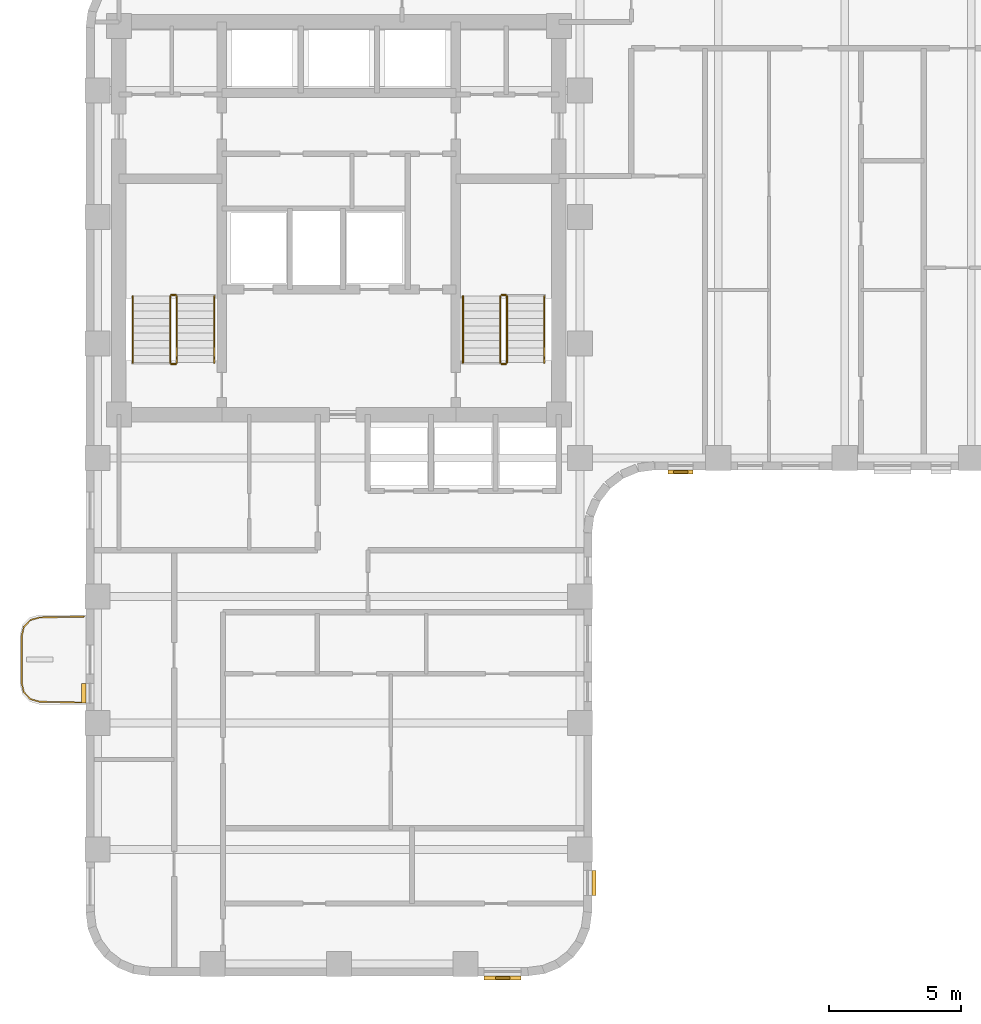
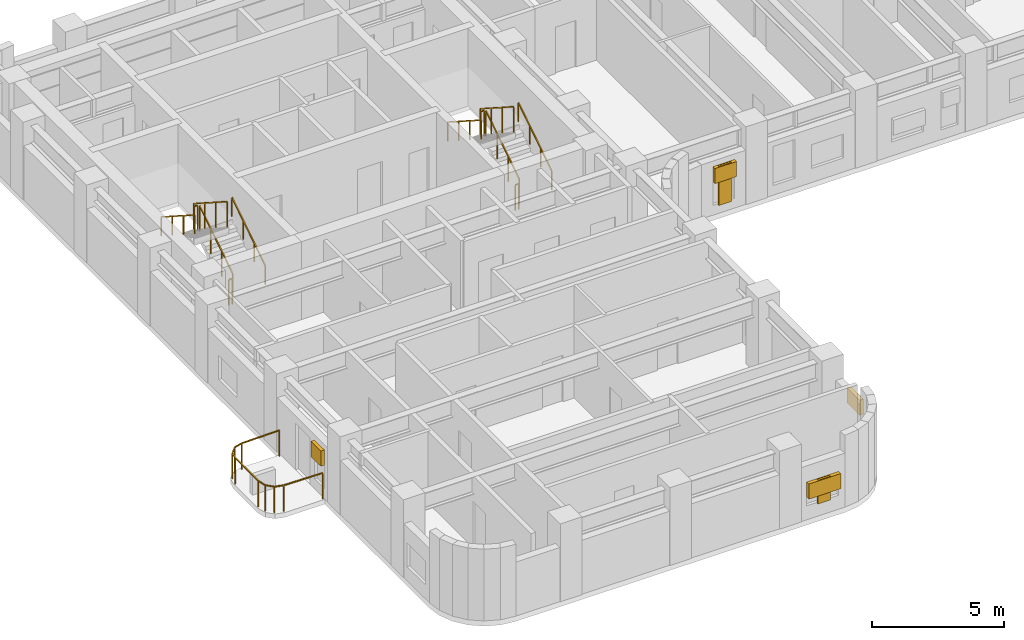
# One storey, part 8 of 10: 13 railings, 6 shading devices.
"""IFC4 building model written with IfcOpenShell, lengths in metres."""

from ifc_helpers import new_model, si_unit, direction, frame, origin, origin_2d, place, context, subcontext, project, spatial, rectangle, extrude, material, type_object, element, save


model = new_model("IFC4")

# Units and contexts
model_context = context("Model", 3, precision=1e-05, world=origin(), true_north=direction((0.0, 1.0)))
body_context = subcontext(model_context, "Body", "Model", "MODEL_VIEW")
ifc_project = project(units=[si_unit("LENGTHUNIT", "METRE"), si_unit("AREAUNIT", "SQUARE_METRE"), si_unit("VOLUMEUNIT", "CUBIC_METRE"), si_unit("PLANEANGLEUNIT", "RADIAN"), si_unit("MASSUNIT", "GRAM", prefix="KILO")], contexts=[model_context])

# Site, building, storey
site_placement = place(None, origin())
site = spatial("IfcSite", under=ifc_project, at=site_placement, CompositionType="ELEMENT")
building_placement = place(site_placement, origin())
building = spatial("IfcBuilding", under=site, at=building_placement, Name="Orvandelia Arch Residences", CompositionType="ELEMENT")
storey_placement = place(building_placement, frame((0.0, 0.0, 150.39990234375)))
storey = spatial("IfcBuildingStorey", under=building, at=storey_placement, Name="L39", CompositionType="ELEMENT", Elevation=150.39990234375)

# Railings
ifc_material_1 = material(Name="Marine-Grade Stainless Steel 316", Category="steel")
railing_type_1 = type_object("IfcRailingType", Name="GRD-BAL-1200", PredefinedType="BALUSTRADE", material=ifc_material_1)
railing_1_placement = place(storey_placement, frame((4.728271484375, 23.23046875, 0.0)))
element("IfcRailing", 1, at=railing_1_placement, inside=storey, type_object=railing_type_1, Name="Safety Balustrade Guard GRD-L39-BAL-L39-W1-1", PredefinedType="BALUSTRADE", context=body_context, shape_type="SweptSolid", body=[
    extrude(rectangle(XDim=0.048095703125, YDim=0.048095703125, at=origin_2d()), frame((0.0, 0.0, 1.19580078125), z_axis=(-0.999834751713, -0.018178813668, 0.0), x_axis=(0.018178813668, -0.999834751713, 0.0)), (0.0, 0.0, 1.0), 1.6787109375),
    extrude(rectangle(XDim=0.048095703125, YDim=0.048095703125, at=origin_2d()), frame((-1.678466796875, -0.030517578125, 1.19580078125), z_axis=(-0.96348920644, -0.267747173792, 0.0), x_axis=(0.267747173792, -0.96348920644, 0.0)), (0.0, 0.0, 1.0), 0.36572265625),
    extrude(rectangle(XDim=0.048095703125, YDim=0.048095703125, at=origin_2d()), frame((-2.03076171875, -0.12841796875, 1.19580078125), z_axis=(-0.688627404251, -0.725115368831, 0.0), x_axis=(0.725115368831, -0.688627404251, 0.0)), (0.0, 0.0, 1.0), 0.367919921875),
    extrude(rectangle(XDim=0.048095703125, YDim=0.048095703125, at=origin_2d()), frame((-2.2841796875, -0.395263671875, 1.19580078125), z_axis=(-0.220461657419, -0.975395641577, 0.0), x_axis=(0.975395641577, -0.220461657419, 0.0)), (0.0, 0.0, 1.0), 0.373291015625),
    extrude(rectangle(XDim=0.048095703125, YDim=0.048095703125, at=origin_2d()), frame((-2.366455078125, -0.75927734375, 1.19580078125), z_axis=(0.0, -1.0, 0.0), x_axis=(1.0, 0.0, 0.0)), (0.0, 0.0, 1.0), 1.742431640625),
    extrude(rectangle(XDim=0.048095703125, YDim=0.048095703125, at=origin_2d()), frame((-2.366455078125, -2.501708984375, 1.19580078125), z_axis=(0.220602419982, -0.975363815352, 0.0), x_axis=(0.975363815352, 0.220602419982, 0.0)), (0.0, 0.0, 1.0), 0.373046875),
    extrude(rectangle(XDim=0.048095703125, YDim=0.048095703125, at=origin_2d()), frame((-2.2841796875, -2.865478515625, 1.19580078125), z_axis=(0.688296224633, -0.725429739642, 0.0), x_axis=(0.725429739642, 0.688296224633, 0.0)), (0.0, 0.0, 1.0), 0.3681640625),
    extrude(rectangle(XDim=0.048095703125, YDim=0.048095703125, at=origin_2d()), frame((-2.03076171875, -3.132568359375, 1.19580078125), z_axis=(0.96348920644, -0.267747173792, 0.0), x_axis=(0.267747173792, 0.96348920644, 0.0)), (0.0, 0.0, 1.0), 0.36572265625),
    extrude(rectangle(XDim=0.048095703125, YDim=0.048095703125, at=origin_2d()), frame((-1.678466796875, -3.23046875, 1.19580078125), z_axis=(0.999834751713, -0.018178813668, 0.0), x_axis=(0.018178813668, 0.999834751713, 0.0)), (0.0, 0.0, 1.0), 1.6787109375),
    extrude(rectangle(XDim=0.0419921875, YDim=0.0419921875, at=origin_2d()), origin(), (0.0, 0.0, 1.0), 1.171875),
    extrude(rectangle(XDim=0.0419921875, YDim=0.0419921875, at=origin_2d()), frame((-1.678466796875, -0.030517578125, 0.0)), (0.0, 0.0, 1.0), 1.171875),
    extrude(rectangle(XDim=0.0419921875, YDim=0.0419921875, at=origin_2d()), frame((-2.03076171875, -0.12841796875, 0.0)), (0.0, 0.0, 1.0), 1.171875),
    extrude(rectangle(XDim=0.0419921875, YDim=0.0419921875, at=origin_2d()), frame((-2.2841796875, -0.395263671875, 0.0)), (0.0, 0.0, 1.0), 1.171875),
    extrude(rectangle(XDim=0.0419921875, YDim=0.0419921875, at=origin_2d()), frame((-2.366455078125, -0.75927734375, 0.0)), (0.0, 0.0, 1.0), 1.171875),
    extrude(rectangle(XDim=0.0419921875, YDim=0.0419921875, at=origin_2d()), frame((-2.366455078125, -2.501708984375, 0.0)), (0.0, 0.0, 1.0), 1.171875),
    extrude(rectangle(XDim=0.0419921875, YDim=0.0419921875, at=origin_2d()), frame((-2.2841796875, -2.865478515625, 0.0)), (0.0, 0.0, 1.0), 1.171875),
    extrude(rectangle(XDim=0.0419921875, YDim=0.0419921875, at=origin_2d()), frame((-2.03076171875, -3.132568359375, 0.0)), (0.0, 0.0, 1.0), 1.171875),
    extrude(rectangle(XDim=0.0419921875, YDim=0.0419921875, at=origin_2d()), frame((-1.678466796875, -3.23046875, 0.0)), (0.0, 0.0, 1.0), 1.171875),
    extrude(rectangle(XDim=0.0419921875, YDim=0.0419921875, at=origin_2d()), frame((0.0, -3.260986328125, 0.0)), (0.0, 0.0, 1.0), 1.171875),
])
ifc_material_2 = material(Name="Brushed Stainless Steel 304", Category="steel")
railing_type_2 = type_object("IfcRailingType", Name="RL-STAIR-GD1120", PredefinedType="GUARDRAIL", material=ifc_material_2)
railing_2_placement = place(storey_placement, frame((8.25, 32.8701171875, 0.18017578125)))
element("IfcRailing", 2, at=railing_2_placement, inside=storey, type_object=railing_type_2, Name="L39 ST-1 stair guard 1", PredefinedType="GUARDRAIL", context=body_context, shape_type="SweptSolid", body=[
    extrude(rectangle(XDim=0.048095703125, YDim=0.048095703125, at=origin_2d()), frame((0.0, 0.0, 1.17578125), z_axis=(0.0, 0.841175827307, 0.540761710511), x_axis=(-1.0, 0.0, 0.0)), (0.0, 0.0, 1.0), 2.99560546875),
    extrude(rectangle(XDim=0.0419921875, YDim=0.0419921875, at=origin_2d()), origin(), (0.0, 0.0, 1.0), 1.15185546875),
    extrude(rectangle(XDim=0.0419921875, YDim=0.0419921875, at=origin_2d()), frame((0.0, 0.83984375, 0.5400390625)), (0.0, 0.0, 1.0), 1.15185546875),
    extrude(rectangle(XDim=0.0419921875, YDim=0.0419921875, at=origin_2d()), frame((0.0, 1.679931640625, 1.079833984375)), (0.0, 0.0, 1.0), 1.15185546875),
    extrude(rectangle(XDim=0.0419921875, YDim=0.0419921875, at=origin_2d()), frame((0.0, 2.519775390625, 1.619873046875)), (0.0, 0.0, 1.0), 1.15185546875),
])
railing_3_placement = place(storey_placement, frame((8.199951171875, 35.43994140625, 1.800048828125)))
element("IfcRailing", 3, at=railing_3_placement, inside=storey, type_object=railing_type_2, Name="L39 ST-1 stair guard 2", PredefinedType="GUARDRAIL", context=body_context, shape_type="SweptSolid", body=[
    extrude(rectangle(XDim=0.048095703125, YDim=0.048095703125, at=origin_2d()), frame((0.0, 0.0, 1.17578125), z_axis=(-1.0, 0.0, 0.0), x_axis=(0.0, -1.0, 0.0)), (0.0, 0.0, 1.0), 0.14990234375),
    extrude(rectangle(XDim=0.0419921875, YDim=0.0419921875, at=origin_2d()), origin(), (0.0, 0.0, 1.0), 1.15185546875),
    extrude(rectangle(XDim=0.0419921875, YDim=0.0419921875, at=origin_2d()), frame((-0.14990234375, 0.0, 0.0)), (0.0, 0.0, 1.0), 1.15185546875),
])
railing_4_placement = place(storey_placement, frame((8.0, 35.389892578125, 1.97998046875)))
element("IfcRailing", 4, at=railing_4_placement, inside=storey, type_object=railing_type_2, Name="L39 ST-1 stair guard 3", PredefinedType="GUARDRAIL", context=body_context, shape_type="SweptSolid", body=[
    extrude(rectangle(XDim=0.048095703125, YDim=0.048095703125, at=origin_2d()), frame((0.0, 0.0, 1.17578125), z_axis=(0.0, -0.841138753965, 0.540819375188), x_axis=(1.0, 0.0, 0.0)), (0.0, 0.0, 1.0), 2.99560546875),
    extrude(rectangle(XDim=0.0419921875, YDim=0.0419921875, at=origin_2d()), origin(), (0.0, 0.0, 1.0), 1.15185546875),
    extrude(rectangle(XDim=0.0419921875, YDim=0.0419921875, at=origin_2d()), frame((0.0, -0.83984375, 0.5400390625)), (0.0, 0.0, 1.0), 1.15185546875),
    extrude(rectangle(XDim=0.0419921875, YDim=0.0419921875, at=origin_2d()), frame((0.0, -1.679931640625, 1.080078125)), (0.0, 0.0, 1.0), 1.15185546875),
    extrude(rectangle(XDim=0.0419921875, YDim=0.0419921875, at=origin_2d()), frame((0.0, -2.519775390625, 1.6201171875)), (0.0, 0.0, 1.0), 1.15185546875),
])
railing_5_placement = place(storey_placement, frame((8.199951171875, 32.820068359375, 0.0)))
element("IfcRailing", 5, at=railing_5_placement, inside=storey, type_object=railing_type_2, Name="L39 ST-1 stair guard 4", PredefinedType="GUARDRAIL", context=body_context, shape_type="SweptSolid", body=[
    extrude(rectangle(XDim=0.048095703125, YDim=0.048095703125, at=origin_2d()), frame((0.0, 0.0, 1.17578125), z_axis=(-1.0, 0.0, 0.0), x_axis=(0.0, -1.0, 0.0)), (0.0, 0.0, 1.0), 0.14990234375),
    extrude(rectangle(XDim=0.0419921875, YDim=0.0419921875, at=origin_2d()), origin(), (0.0, 0.0, 1.0), 1.15185546875),
    extrude(rectangle(XDim=0.0419921875, YDim=0.0419921875, at=origin_2d()), frame((-0.14990234375, 0.0, 0.0)), (0.0, 0.0, 1.0), 1.15185546875),
])
railing_6_placement = place(storey_placement, frame((20.780029296875, 32.8701171875, 0.18017578125)))
element("IfcRailing", 6, at=railing_6_placement, inside=storey, type_object=railing_type_2, Name="L39 ST-2 stair guard 1", PredefinedType="GUARDRAIL", context=body_context, shape_type="SweptSolid", body=[
    extrude(rectangle(XDim=0.048095703125, YDim=0.048095703125, at=origin_2d()), frame((0.0, 0.0, 1.17578125), z_axis=(0.0, 0.841175827307, 0.540761710511), x_axis=(-1.0, 0.0, 0.0)), (0.0, 0.0, 1.0), 2.99560546875),
    extrude(rectangle(XDim=0.0419921875, YDim=0.0419921875, at=origin_2d()), origin(), (0.0, 0.0, 1.0), 1.15185546875),
    extrude(rectangle(XDim=0.0419921875, YDim=0.0419921875, at=origin_2d()), frame((0.0, 0.83984375, 0.5400390625)), (0.0, 0.0, 1.0), 1.15185546875),
    extrude(rectangle(XDim=0.0419921875, YDim=0.0419921875, at=origin_2d()), frame((0.0, 1.679931640625, 1.079833984375)), (0.0, 0.0, 1.0), 1.15185546875),
    extrude(rectangle(XDim=0.0419921875, YDim=0.0419921875, at=origin_2d()), frame((0.0, 2.519775390625, 1.619873046875)), (0.0, 0.0, 1.0), 1.15185546875),
])
railing_7_placement = place(storey_placement, frame((20.72998046875, 35.43994140625, 1.800048828125)))
element("IfcRailing", 7, at=railing_7_placement, inside=storey, type_object=railing_type_2, Name="L39 ST-2 stair guard 2", PredefinedType="GUARDRAIL", context=body_context, shape_type="SweptSolid", body=[
    extrude(rectangle(XDim=0.048095703125, YDim=0.048095703125, at=origin_2d()), frame((0.0, 0.0, 1.17578125), z_axis=(-1.0, 0.0, 0.0), x_axis=(0.0, -1.0, 0.0)), (0.0, 0.0, 1.0), 0.14990234375),
    extrude(rectangle(XDim=0.0419921875, YDim=0.0419921875, at=origin_2d()), origin(), (0.0, 0.0, 1.0), 1.15185546875),
    extrude(rectangle(XDim=0.0419921875, YDim=0.0419921875, at=origin_2d()), frame((-0.14990234375, 0.0, 0.0)), (0.0, 0.0, 1.0), 1.15185546875),
])
railing_8_placement = place(storey_placement, frame((20.530029296875, 35.389892578125, 1.97998046875)))
element("IfcRailing", 8, at=railing_8_placement, inside=storey, type_object=railing_type_2, Name="L39 ST-2 stair guard 3", PredefinedType="GUARDRAIL", context=body_context, shape_type="SweptSolid", body=[
    extrude(rectangle(XDim=0.048095703125, YDim=0.048095703125, at=origin_2d()), frame((0.0, 0.0, 1.17578125), z_axis=(0.0, -0.841138753965, 0.540819375188), x_axis=(1.0, 0.0, 0.0)), (0.0, 0.0, 1.0), 2.99560546875),
    extrude(rectangle(XDim=0.0419921875, YDim=0.0419921875, at=origin_2d()), origin(), (0.0, 0.0, 1.0), 1.15185546875),
    extrude(rectangle(XDim=0.0419921875, YDim=0.0419921875, at=origin_2d()), frame((0.0, -0.83984375, 0.5400390625)), (0.0, 0.0, 1.0), 1.15185546875),
    extrude(rectangle(XDim=0.0419921875, YDim=0.0419921875, at=origin_2d()), frame((0.0, -1.679931640625, 1.080078125)), (0.0, 0.0, 1.0), 1.15185546875),
    extrude(rectangle(XDim=0.0419921875, YDim=0.0419921875, at=origin_2d()), frame((0.0, -2.519775390625, 1.6201171875)), (0.0, 0.0, 1.0), 1.15185546875),
])
railing_9_placement = place(storey_placement, frame((20.72998046875, 32.820068359375, 0.0)))
element("IfcRailing", 9, at=railing_9_placement, inside=storey, type_object=railing_type_2, Name="L39 ST-2 stair guard 4", PredefinedType="GUARDRAIL", context=body_context, shape_type="SweptSolid", body=[
    extrude(rectangle(XDim=0.048095703125, YDim=0.048095703125, at=origin_2d()), frame((0.0, 0.0, 1.17578125), z_axis=(-1.0, 0.0, 0.0), x_axis=(0.0, -1.0, 0.0)), (0.0, 0.0, 1.0), 0.14990234375),
    extrude(rectangle(XDim=0.0419921875, YDim=0.0419921875, at=origin_2d()), origin(), (0.0, 0.0, 1.0), 1.15185546875),
    extrude(rectangle(XDim=0.0419921875, YDim=0.0419921875, at=origin_2d()), frame((-0.14990234375, 0.0, 0.0)), (0.0, 0.0, 1.0), 1.15185546875),
])
railing_type_3 = type_object("IfcRailingType", Name="RL-STAIR-HR920", PredefinedType="HANDRAIL", material=ifc_material_2)
railing_10_placement = place(storey_placement, frame((9.669921875, 32.8701171875, 0.360107421875)))
element("IfcRailing", 10, at=railing_10_placement, inside=storey, type_object=railing_type_3, Name="L39 ST-1 stair handrail 1", PredefinedType="HANDRAIL", context=body_context, shape_type="SweptSolid", body=[
    extrude(rectangle(XDim=0.048095703125, YDim=0.048095703125, at=origin_2d()), frame((0.0, 0.0, 0.8759765625), z_axis=(0.0, 0.841175827307, 0.540761710511), x_axis=(-1.0, 0.0, 0.0)), (0.0, 0.0, 1.0), 2.99560546875),
    extrude(rectangle(XDim=0.0419921875, YDim=0.0419921875, at=origin_2d()), origin(), (0.0, 0.0, 1.0), 0.851806640625),
    extrude(rectangle(XDim=0.0419921875, YDim=0.0419921875, at=origin_2d()), frame((0.0, 0.83984375, 0.5400390625)), (0.0, 0.0, 1.0), 0.851806640625),
    extrude(rectangle(XDim=0.0419921875, YDim=0.0419921875, at=origin_2d()), frame((0.0, 1.679931640625, 1.079833984375)), (0.0, 0.0, 1.0), 0.851806640625),
    extrude(rectangle(XDim=0.0419921875, YDim=0.0419921875, at=origin_2d()), frame((0.0, 2.519775390625, 1.619873046875)), (0.0, 0.0, 1.0), 0.851806640625),
])
railing_11_placement = place(storey_placement, frame((6.580078125, 35.389892578125, 2.16015625)))
element("IfcRailing", 11, at=railing_11_placement, inside=storey, type_object=railing_type_3, Name="L39 ST-1 stair handrail 2", PredefinedType="HANDRAIL", context=body_context, shape_type="SweptSolid", body=[
    extrude(rectangle(XDim=0.048095703125, YDim=0.048095703125, at=origin_2d()), frame((0.0, 0.0, 0.8759765625), z_axis=(0.0, -0.841175827307, 0.540761710511), x_axis=(1.0, 0.0, 0.0)), (0.0, 0.0, 1.0), 2.99560546875),
    extrude(rectangle(XDim=0.0419921875, YDim=0.0419921875, at=origin_2d()), origin(), (0.0, 0.0, 1.0), 0.851806640625),
    extrude(rectangle(XDim=0.0419921875, YDim=0.0419921875, at=origin_2d()), frame((0.0, -0.83984375, 0.5400390625)), (0.0, 0.0, 1.0), 0.851806640625),
    extrude(rectangle(XDim=0.0419921875, YDim=0.0419921875, at=origin_2d()), frame((0.0, -1.679931640625, 1.079833984375)), (0.0, 0.0, 1.0), 0.851806640625),
    extrude(rectangle(XDim=0.0419921875, YDim=0.0419921875, at=origin_2d()), frame((0.0, -2.519775390625, 1.619873046875)), (0.0, 0.0, 1.0), 0.851806640625),
])
railing_12_placement = place(storey_placement, frame((22.199951171875, 32.8701171875, 0.360107421875)))
element("IfcRailing", 12, at=railing_12_placement, inside=storey, type_object=railing_type_3, Name="L39 ST-2 stair handrail 1", PredefinedType="HANDRAIL", context=body_context, shape_type="SweptSolid", body=[
    extrude(rectangle(XDim=0.048095703125, YDim=0.048095703125, at=origin_2d()), frame((0.0, 0.0, 0.8759765625), z_axis=(0.0, 0.841175827307, 0.540761710511), x_axis=(-1.0, 0.0, 0.0)), (0.0, 0.0, 1.0), 2.99560546875),
    extrude(rectangle(XDim=0.0419921875, YDim=0.0419921875, at=origin_2d()), origin(), (0.0, 0.0, 1.0), 0.851806640625),
    extrude(rectangle(XDim=0.0419921875, YDim=0.0419921875, at=origin_2d()), frame((0.0, 0.83984375, 0.5400390625)), (0.0, 0.0, 1.0), 0.851806640625),
    extrude(rectangle(XDim=0.0419921875, YDim=0.0419921875, at=origin_2d()), frame((0.0, 1.679931640625, 1.079833984375)), (0.0, 0.0, 1.0), 0.851806640625),
    extrude(rectangle(XDim=0.0419921875, YDim=0.0419921875, at=origin_2d()), frame((0.0, 2.519775390625, 1.619873046875)), (0.0, 0.0, 1.0), 0.851806640625),
])
railing_13_placement = place(storey_placement, frame((19.110107421875, 35.389892578125, 2.16015625)))
element("IfcRailing", 13, at=railing_13_placement, inside=storey, type_object=railing_type_3, Name="L39 ST-2 stair handrail 2", PredefinedType="HANDRAIL", context=body_context, shape_type="SweptSolid", body=[
    extrude(rectangle(XDim=0.048095703125, YDim=0.048095703125, at=origin_2d()), frame((0.0, 0.0, 0.8759765625), z_axis=(0.0, -0.841175827307, 0.540761710511), x_axis=(1.0, 0.0, 0.0)), (0.0, 0.0, 1.0), 2.99560546875),
    extrude(rectangle(XDim=0.0419921875, YDim=0.0419921875, at=origin_2d()), origin(), (0.0, 0.0, 1.0), 0.851806640625),
    extrude(rectangle(XDim=0.0419921875, YDim=0.0419921875, at=origin_2d()), frame((0.0, -0.83984375, 0.5400390625)), (0.0, 0.0, 1.0), 0.851806640625),
    extrude(rectangle(XDim=0.0419921875, YDim=0.0419921875, at=origin_2d()), frame((0.0, -1.679931640625, 1.079833984375)), (0.0, 0.0, 1.0), 0.851806640625),
    extrude(rectangle(XDim=0.0419921875, YDim=0.0419921875, at=origin_2d()), frame((0.0, -2.519775390625, 1.619873046875)), (0.0, 0.0, 1.0), 0.851806640625),
])

# Shading devices
ifc_material_3 = material(Name="Anodised Champagne-Bronze Extruded Aluminium", Category="aluminium")
shading_device_type_1 = type_object("IfcShadingDeviceType", Name="SHD-JALOUSIE-SCREEN", PredefinedType="JALOUSIE", material=ifc_material_3)
for number, where, z_axis, x_axis, name in (
    (14, (27.3701171875, 28.719970703125, 1.55029296875), (0.0, 0.0, 1.0), (-1.0, 0.0, 0.0), "Bronze Jalousie Sun-Shade L39-003"),
    (15, (24.080078125, 13.12353515625, 1.55029296875), (0.0, 0.0, 1.0), (0.0, -1.0, 0.0), "Bronze Jalousie Sun-Shade L39-005"),
):
    element("IfcShadingDevice", number, at=place(storey_placement, frame(where, z_axis=z_axis, x_axis=x_axis)), inside=storey, type_object=shading_device_type_1, Name=name, PredefinedType="JALOUSIE", context=body_context, shape_type="SweptSolid", body=[
        extrude(rectangle(XDim=0.949951171875, YDim=0.159912109375, at=origin_2d()), origin(), (0.0, 0.0, 1.0), 0.699951171875),
    ])
shading_device_1_placement = place(storey_placement, frame((20.617431640625, 9.52001953125, 1.05029296875), z_axis=(0.0, 0.0, 1.0), x_axis=(-1.0, 0.0, 0.0)))
element("IfcShadingDevice", 16, at=shading_device_1_placement, inside=storey, type_object=shading_device_type_1, Name="Bronze Jalousie Sun-Shade L39-006", PredefinedType="JALOUSIE", context=body_context, shape_type="SweptSolid", body=[
    extrude(rectangle(XDim=1.39990234375, YDim=0.159912109375, at=origin_2d()), origin(), (0.0, 0.0, 1.0), 0.699951171875),
])
shading_device_2_placement = place(storey_placement, frame((4.719970703125, 20.322509765625, 1.55029296875), z_axis=(0.0, 0.0, 1.0), x_axis=(0.0, 1.0, 0.0)))
element("IfcShadingDevice", 17, at=shading_device_2_placement, inside=storey, type_object=shading_device_type_1, Name="Bronze Jalousie Sun-Shade L39-007", PredefinedType="JALOUSIE", context=body_context, shape_type="SweptSolid", body=[
    extrude(rectangle(XDim=0.75, YDim=0.159912109375, at=origin_2d()), origin(), (0.0, 0.0, 1.0), 0.699951171875),
])
ifc_material_4 = material(Name="Marine-Grade Perforated Aluminium Storm Shutter", Category="aluminium")
shading_device_type_2 = type_object("IfcShadingDeviceType", Name="SHD-STORM-SHUTTER", PredefinedType="SHUTTER", material=ifc_material_4)
shading_device_3_placement = place(storey_placement, frame((27.3701171875, 28.719970703125, 0.4501953125), z_axis=(0.0, 0.0, 1.0), x_axis=(-1.0, 0.0, 0.0)))
element("IfcShadingDevice", 18, at=shading_device_3_placement, inside=storey, type_object=shading_device_type_2, Name="Operable Typhoon Storm Shutter L39-003", PredefinedType="SHUTTER", context=body_context, shape_type="SweptSolid", body=[
    extrude(rectangle(XDim=0.550048828125, YDim=0.080078125, at=origin_2d()), origin(), (0.0, 0.0, 1.0), 1.800048828125),
])
shading_device_4_placement = place(storey_placement, frame((20.617431640625, 9.52001953125, 0.650146484375), z_axis=(0.0, 0.0, 1.0), x_axis=(-1.0, 0.0, 0.0)))
element("IfcShadingDevice", 19, at=shading_device_4_placement, inside=storey, type_object=shading_device_type_2, Name="Operable Typhoon Storm Shutter L39-006", PredefinedType="SHUTTER", context=body_context, shape_type="SweptSolid", body=[
    extrude(rectangle(XDim=0.550048828125, YDim=0.080078125, at=origin_2d()), origin(), (0.0, 0.0, 1.0), 1.10009765625),
])

save(model, "model.ifc")
